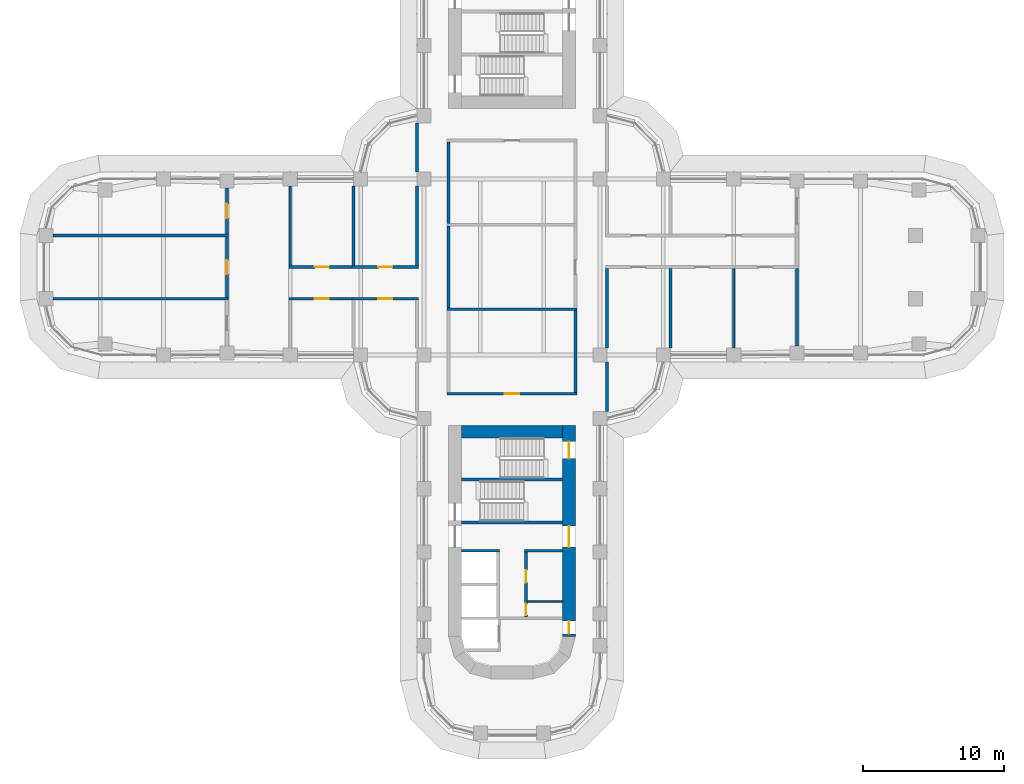
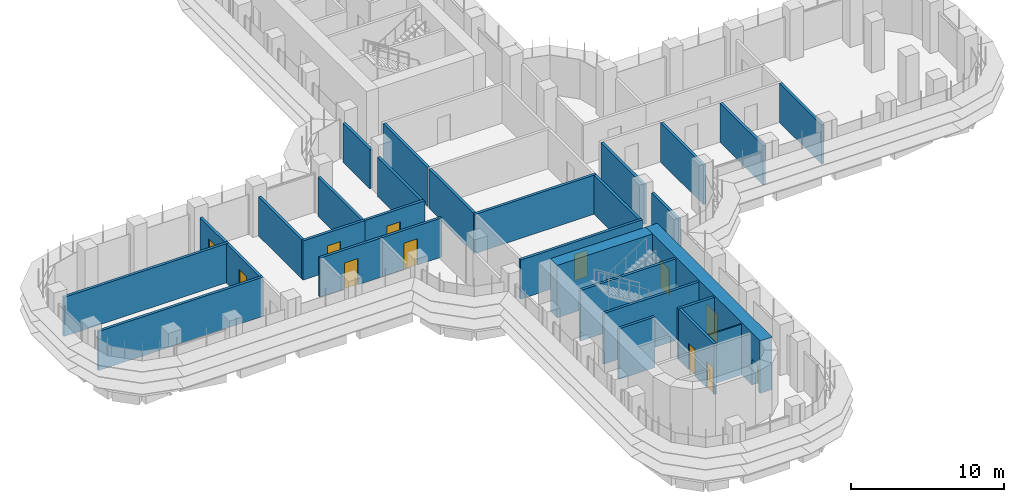
# One storey, part 17 of 23: 30 walls, 12 doors, 12 openings.
"""IFC4 building model written with IfcOpenShell, lengths in metres."""

from ifc_helpers import new_model, si_unit, direction, frame, frame_2d, origin, place, context, subcontext, project, spatial, rectangle, extrude, material, layer, layer_set, type_object, element, fill, save


model = new_model("IFC4")

# Units and contexts
model_context = context("Model", 3, precision=1e-05, world=origin(), true_north=direction((0.0, 1.0)))
body_context = subcontext(model_context, "Body", "Model", "MODEL_VIEW")
ifc_project = project(units=[si_unit("LENGTHUNIT", "METRE"), si_unit("AREAUNIT", "SQUARE_METRE"), si_unit("VOLUMEUNIT", "CUBIC_METRE"), si_unit("PLANEANGLEUNIT", "RADIAN"), si_unit("MASSUNIT", "GRAM", prefix="KILO")], contexts=[model_context])

# Site, building, storey
site_placement = place(None, origin())
site = spatial("IfcSite", under=ifc_project, at=site_placement, CompositionType="ELEMENT")
building_placement = place(site_placement, origin())
building = spatial("IfcBuilding", under=site, at=building_placement, Name="Zarbagh Exchange Tower", CompositionType="ELEMENT")
storey_placement = place(building_placement, frame((0.0, 0.0, 39.60009765625)))
storey = spatial("IfcBuildingStorey", under=building, at=storey_placement, Name="L08", CompositionType="ELEMENT", Elevation=39.60009765625)

# Walls
ifc_material_1 = material(Name="Dense blockwork", Category="masonry")
ifc_layer_1 = layer(ifc_material_1, 0.10009765625)
ifc_layer_set_1 = layer_set([ifc_layer_1], Name="Core partition 100 mm blockwork")
wall_type_1 = type_object("IfcWallType", Name="Core partition 100 mm blockwork", PredefinedType="PARTITIONING", material=ifc_layer_set_1)
wall_1_placement = place(storey_placement, frame((3.60009765625, -23.75, 0.0), z_axis=(0.0, 0.0, 1.0), x_axis=(-1.0, 0.0, 0.0)))
element("IfcWall", 1, at=wall_1_placement, inside=storey, type_object=wall_type_1, Name="South core partition wall CUT-W-460", PredefinedType="PARTITIONING", context=body_context, shape_type="SweptSolid", body=[
    extrude(rectangle(XDim=2.5, YDim=0.10009765625, at=frame_2d((1.25, 0.0))), origin(), (0.0, 0.0, 1.0), 4.0498046875),
])
ifc_material_2 = material(Name="Fire-rated plasterboard partition")
ifc_layer_2 = layer(ifc_material_2, 0.199951171875)
ifc_layer_set_2 = layer_set([ifc_layer_2], Name="RATED PARTITION 200")
wall_type_2 = type_object("IfcWallType", Name="RATED PARTITION 200", PredefinedType="PARTITIONING", material=ifc_layer_set_2)
for number, where, z_axis, x_axis, name in (
    (2, (-4.5, 3.10009765625, 0.0), (0.0, 0.0, 1.0), (0.0, 1.0, 0.0), "Partition W-201"),
    (3, (-4.5, -2.89990234375, 0.0), (0.0, 0.0, 1.0), (0.0, 1.0, 0.0), "Partition W-202"),
):
    element("IfcWall", number, at=place(storey_placement, frame(where, z_axis=z_axis, x_axis=x_axis)), inside=storey, type_object=wall_type_2, Name=name, PredefinedType="PARTITIONING", context=body_context, shape_type="SweptSolid", body=[
        extrude(rectangle(XDim=5.7998046875, YDim=0.199951171875, at=frame_2d((2.89990234375, 0.0))), origin(), (0.0, 0.0, 1.0), 3.13037109375),
    ])
wall_2_placement = place(storey_placement, frame((-6.75, 0.10009765625, 0.0), z_axis=(0.0, 0.0, 1.0), x_axis=(0.0, 1.0, 0.0)))
element("IfcWall", 4, at=wall_2_placement, inside=storey, type_object=wall_type_2, Name="Partition W-204", PredefinedType="PARTITIONING", context=body_context, shape_type="SweptSolid", body=[
    extrude(rectangle(XDim=5.64990234375, YDim=0.199951171875, at=frame_2d((2.824951171875, 0.0))), origin(), (0.0, 0.0, 1.0), 3.13037109375),
])
wall_3_placement = place(storey_placement, frame((-6.75, 6.75, 0.0), z_axis=(0.0, 0.0, 1.0), x_axis=(0.0, 1.0, 0.0)))
element("IfcWall", 5, at=wall_3_placement, inside=storey, type_object=wall_type_2, Name="Partition W-205", PredefinedType="PARTITIONING", context=body_context, shape_type="SweptSolid", body=[
    extrude(rectangle(XDim=3.5, YDim=0.199951171875, at=frame_2d((1.75, 0.0))), origin(), (0.0, 0.0, 1.0), 3.13037109375),
])
wall_4_placement = place(storey_placement, frame((4.5, -8.89990234375, 0.0), z_axis=(0.0, 0.0, 1.0), x_axis=(0.0, 1.0, 0.0)))
element("IfcWall", 6, at=wall_4_placement, inside=storey, type_object=wall_type_2, Name="Partition W-210", PredefinedType="PARTITIONING", context=body_context, shape_type="SweptSolid", body=[
    extrude(rectangle(XDim=5.7998046875, YDim=0.199951171875, at=frame_2d((2.89990234375, 0.0))), origin(), (0.0, 0.0, 1.0), 3.13037109375),
])
wall_5_placement = place(storey_placement, frame((6.75, -10.25, 0.0), z_axis=(0.0, 0.0, 1.0), x_axis=(0.0, 1.0, 0.0)))
element("IfcWall", 7, at=wall_5_placement, inside=storey, type_object=wall_type_2, Name="Partition W-213", PredefinedType="PARTITIONING", context=body_context, shape_type="SweptSolid", body=[
    extrude(rectangle(XDim=3.5, YDim=0.199951171875, at=frame_2d((1.75, 0.0))), origin(), (0.0, 0.0, 1.0), 3.13037109375),
])
wall_6_placement = place(storey_placement, frame((6.75, -5.75, 0.0), z_axis=(0.0, 0.0, 1.0), x_axis=(0.0, 1.0, 0.0)))
element("IfcWall", 8, at=wall_6_placement, inside=storey, type_object=wall_type_2, Name="Partition W-214", PredefinedType="PARTITIONING", context=body_context, shape_type="SweptSolid", body=[
    extrude(rectangle(XDim=5.64990234375, YDim=0.199951171875, at=frame_2d((2.824951171875, 0.0))), origin(), (0.0, 0.0, 1.0), 3.13037109375),
])

# Wall, opening, door
wall_7_placement = place(storey_placement, frame((-4.60009765625, -9.0, 0.0), z_axis=(0.0, 0.0, 1.0), x_axis=(1.0, 0.0, 0.0)))
wall_7 = element("IfcWall", 9, at=wall_7_placement, inside=storey, type_object=wall_type_2, Name="Partition W-216", PredefinedType="PARTITIONING", context=body_context, shape_type="SweptSolid", body=[
    extrude(rectangle(XDim=9.2001953125, YDim=0.199951171875, at=frame_2d((4.60009765625, 0.0))), origin(), (0.0, 0.0, 1.0), 3.13037109375),
])
opening_1_placement = place(wall_7_placement, frame((4.10009765625, 0.0, 0.0)))
opening_1 = element("IfcOpeningElement", 10, at=opening_1_placement, cuts=wall_7, Name="Opening D-203", PredefinedType="OPENING", context=body_context, shape_type="SweptSolid", body=[
    extrude(rectangle(XDim=1.0, YDim=2.10009765625, at=frame_2d((0.5, 1.050048828125))), frame((0.0, 0.10986328125, 0.0), z_axis=(0.0, -1.0, 0.0), x_axis=(1.0, 0.0, 0.0)), (0.0, 0.0, 1.0), 0.219970703125),
])
ifc_material_3 = material(Name="Steel door set", Category="steel")
door_type_1 = type_object("IfcDoorType", Name="FIRE DOOR 1000 X 2100 FD30S", OperationType="NOTDEFINED", PredefinedType="DOOR", material=ifc_material_3)
door_1_placement = place(opening_1_placement, origin())
door_1 = element("IfcDoor", 11, at=door_1_placement, inside=storey, type_object=door_type_1, Name="Door D-203", OperationType="SINGLE_SWING_RIGHT", OverallHeight=2.10009765625, OverallWidth=1.0, PredefinedType="DOOR", context=body_context, shape_type="SweptSolid", body=[
    extrude(rectangle(XDim=1.0, YDim=2.10009765625, at=frame_2d((0.5, 1.050048828125))), frame((0.0, 0.02490234375, 0.0), z_axis=(0.0, -1.0, 0.0), x_axis=(1.0, 0.0, 0.0)), (0.0, 0.0, 1.0), 0.050048828125),
])
fill(opening_1, door_1)

# Walls
wall_8_placement = place(storey_placement, frame((-4.60009765625, -3.0, 0.0), z_axis=(0.0, 0.0, 1.0), x_axis=(1.0, 0.0, 0.0)))
element("IfcWall", 12, at=wall_8_placement, inside=storey, type_object=wall_type_2, Name="Partition W-218", PredefinedType="PARTITIONING", context=body_context, shape_type="SweptSolid", body=[
    extrude(rectangle(XDim=9.2001953125, YDim=0.199951171875, at=frame_2d((4.60009765625, 0.0))), origin(), (0.0, 0.0, 1.0), 3.13037109375),
])
for number, where, z_axis, x_axis, name in (
    (13, (11.25, -5.75, 0.0), (0.0, 0.0, 1.0), (0.0, 1.0, 0.0), "Partition W-226"),
    (14, (15.75, -5.75, 0.0), (0.0, 0.0, 1.0), (0.0, 1.0, 0.0), "Partition W-228"),
):
    element("IfcWall", number, at=place(storey_placement, frame(where, z_axis=z_axis, x_axis=x_axis)), inside=storey, type_object=wall_type_2, Name=name, PredefinedType="PARTITIONING", context=body_context, shape_type="SweptSolid", body=[
        extrude(rectangle(XDim=5.64990234375, YDim=0.199951171875, at=frame_2d((2.824951171875, 0.0))), origin(), (0.0, 0.0, 1.0), 3.13037109375),
    ])
wall_9_placement = place(storey_placement, frame((20.25, -5.610107421875, 0.0), z_axis=(0.0, 0.0, 1.0), x_axis=(0.0, 1.0, 0.0)))
element("IfcWall", 15, at=wall_9_placement, inside=storey, type_object=wall_type_2, Name="Partition W-229", PredefinedType="PARTITIONING", context=body_context, shape_type="SweptSolid", body=[
    extrude(rectangle(XDim=5.510009765625, YDim=0.199951171875, at=frame_2d((2.7548828125, 0.0))), origin(), (0.0, 0.0, 1.0), 3.13037109375),
])

# Wall, opening, door
wall_10_placement = place(storey_placement, frame((-11.35009765625, 0.0, 0.0), z_axis=(0.0, 0.0, 1.0), x_axis=(1.0, 0.0, 0.0)))
wall_10 = element("IfcWall", 16, at=wall_10_placement, inside=storey, type_object=wall_type_2, Name="Partition W-230", PredefinedType="PARTITIONING", context=body_context, shape_type="SweptSolid", body=[
    extrude(rectangle(XDim=4.7001953125, YDim=0.199951171875, at=frame_2d((2.35009765625, 0.0))), origin(), (0.0, 0.0, 1.0), 3.13037109375),
])
opening_2_placement = place(wall_10_placement, frame((1.85009765625, 0.0, 0.0)))
opening_2 = element("IfcOpeningElement", 17, at=opening_2_placement, cuts=wall_10, Name="Opening D-210", PredefinedType="OPENING", context=body_context, shape_type="SweptSolid", body=[
    extrude(rectangle(XDim=1.0, YDim=2.10009765625, at=frame_2d((0.5, 1.050048828125))), frame((0.0, 0.10986328125, 0.0), z_axis=(0.0, -1.0, 0.0), x_axis=(1.0, 0.0, 0.0)), (0.0, 0.0, 1.0), 0.219970703125),
])
door_2_placement = place(opening_2_placement, origin())
door_2 = element("IfcDoor", 18, at=door_2_placement, inside=storey, type_object=door_type_1, Name="Door D-210", OperationType="SINGLE_SWING_RIGHT", OverallHeight=2.10009765625, OverallWidth=1.0, PredefinedType="DOOR", context=body_context, shape_type="SweptSolid", body=[
    extrude(rectangle(XDim=1.0, YDim=2.10009765625, at=frame_2d((0.5, 1.050048828125))), frame((0.0, 0.02490234375, 0.0), z_axis=(0.0, -1.0, 0.0), x_axis=(1.0, 0.0, 0.0)), (0.0, 0.0, 1.0), 0.050048828125),
])
fill(opening_2, door_2)

wall_11_placement = place(storey_placement, frame((-6.64990234375, -2.25, 0.0), z_axis=(0.0, 0.0, 1.0), x_axis=(-1.0, 0.0, 0.0)))
wall_11 = element("IfcWall", 19, at=wall_11_placement, inside=storey, type_object=wall_type_2, Name="Partition W-231", PredefinedType="PARTITIONING", context=body_context, shape_type="SweptSolid", body=[
    extrude(rectangle(XDim=4.7001953125, YDim=0.199951171875, at=frame_2d((2.35009765625, 0.0))), origin(), (0.0, 0.0, 1.0), 3.13037109375),
])
opening_3_placement = place(wall_11_placement, frame((1.85009765625, 0.0, 0.0)))
opening_3 = element("IfcOpeningElement", 20, at=opening_3_placement, cuts=wall_11, Name="Opening D-212", PredefinedType="OPENING", context=body_context, shape_type="SweptSolid", body=[
    extrude(rectangle(XDim=1.0, YDim=2.10009765625, at=frame_2d((0.5, 1.050048828125))), frame((0.0, 0.10986328125, 0.0), z_axis=(0.0, -1.0, 0.0), x_axis=(1.0, 0.0, 0.0)), (0.0, 0.0, 1.0), 0.219970703125),
])
door_3_placement = place(opening_3_placement, origin())
door_3 = element("IfcDoor", 21, at=door_3_placement, inside=storey, type_object=door_type_1, Name="Door D-212", OperationType="SINGLE_SWING_RIGHT", OverallHeight=2.10009765625, OverallWidth=1.0, PredefinedType="DOOR", context=body_context, shape_type="SweptSolid", body=[
    extrude(rectangle(XDim=1.0, YDim=2.10009765625, at=frame_2d((0.5, 1.050048828125))), frame((0.0, 0.02490234375, 0.0), z_axis=(0.0, -1.0, 0.0), x_axis=(1.0, 0.0, 0.0)), (0.0, 0.0, 1.0), 0.050048828125),
])
fill(opening_3, door_3)

wall_12_placement = place(storey_placement, frame((-15.85009765625, 0.0, 0.0), z_axis=(0.0, 0.0, 1.0), x_axis=(1.0, 0.0, 0.0)))
wall_12 = element("IfcWall", 22, at=wall_12_placement, inside=storey, type_object=wall_type_2, Name="Partition W-232", PredefinedType="PARTITIONING", context=body_context, shape_type="SweptSolid", body=[
    extrude(rectangle(XDim=4.7001953125, YDim=0.199951171875, at=frame_2d((2.35009765625, 0.0))), origin(), (0.0, 0.0, 1.0), 3.13037109375),
])
opening_4_placement = place(wall_12_placement, frame((1.85009765625, 0.0, 0.0)))
opening_4 = element("IfcOpeningElement", 23, at=opening_4_placement, cuts=wall_12, Name="Opening D-211", PredefinedType="OPENING", context=body_context, shape_type="SweptSolid", body=[
    extrude(rectangle(XDim=1.0, YDim=2.10009765625, at=frame_2d((0.5, 1.050048828125))), frame((0.0, 0.10986328125, 0.0), z_axis=(0.0, -1.0, 0.0), x_axis=(1.0, 0.0, 0.0)), (0.0, 0.0, 1.0), 0.219970703125),
])
door_4_placement = place(opening_4_placement, origin())
door_4 = element("IfcDoor", 24, at=door_4_placement, inside=storey, type_object=door_type_1, Name="Door D-211", OperationType="SINGLE_SWING_RIGHT", OverallHeight=2.10009765625, OverallWidth=1.0, PredefinedType="DOOR", context=body_context, shape_type="SweptSolid", body=[
    extrude(rectangle(XDim=1.0, YDim=2.10009765625, at=frame_2d((0.5, 1.050048828125))), frame((0.0, 0.02490234375, 0.0), z_axis=(0.0, -1.0, 0.0), x_axis=(1.0, 0.0, 0.0)), (0.0, 0.0, 1.0), 0.050048828125),
])
fill(opening_4, door_4)

wall_13_placement = place(storey_placement, frame((-11.14990234375, -2.25, 0.0), z_axis=(0.0, 0.0, 1.0), x_axis=(-1.0, 0.0, 0.0)))
wall_13 = element("IfcWall", 25, at=wall_13_placement, inside=storey, type_object=wall_type_2, Name="Partition W-233", PredefinedType="PARTITIONING", context=body_context, shape_type="SweptSolid", body=[
    extrude(rectangle(XDim=4.7001953125, YDim=0.199951171875, at=frame_2d((2.35009765625, 0.0))), origin(), (0.0, 0.0, 1.0), 3.13037109375),
])
opening_5_placement = place(wall_13_placement, frame((1.85009765625, 0.0, 0.0)))
opening_5 = element("IfcOpeningElement", 26, at=opening_5_placement, cuts=wall_13, Name="Opening D-213", PredefinedType="OPENING", context=body_context, shape_type="SweptSolid", body=[
    extrude(rectangle(XDim=1.0, YDim=2.10009765625, at=frame_2d((0.5, 1.050048828125))), frame((0.0, 0.10986328125, 0.0), z_axis=(0.0, -1.0, 0.0), x_axis=(1.0, 0.0, 0.0)), (0.0, 0.0, 1.0), 0.219970703125),
])
door_5_placement = place(opening_5_placement, origin())
door_5 = element("IfcDoor", 27, at=door_5_placement, inside=storey, type_object=door_type_1, Name="Door D-213", OperationType="SINGLE_SWING_RIGHT", OverallHeight=2.10009765625, OverallWidth=1.0, PredefinedType="DOOR", context=body_context, shape_type="SweptSolid", body=[
    extrude(rectangle(XDim=1.0, YDim=2.10009765625, at=frame_2d((0.5, 1.050048828125))), frame((0.0, 0.02490234375, 0.0), z_axis=(0.0, -1.0, 0.0), x_axis=(1.0, 0.0, 0.0)), (0.0, 0.0, 1.0), 0.050048828125),
])
fill(opening_5, door_5)

# Walls
for number, where, z_axis, x_axis, name in (
    (28, (-11.25, 0.10009765625, 0.0), (0.0, 0.0, 1.0), (0.0, 1.0, 0.0), "Partition W-234"),
    (29, (-15.75, 0.10009765625, 0.0), (0.0, 0.0, 1.0), (0.0, 1.0, 0.0), "Partition W-236"),
):
    element("IfcWall", number, at=place(storey_placement, frame(where, z_axis=z_axis, x_axis=x_axis)), inside=storey, type_object=wall_type_2, Name=name, PredefinedType="PARTITIONING", context=body_context, shape_type="SweptSolid", body=[
        extrude(rectangle(XDim=5.64990234375, YDim=0.199951171875, at=frame_2d((2.824951171875, 0.0))), origin(), (0.0, 0.0, 1.0), 3.13037109375),
    ])

# Wall, opening, door
wall_14_placement = place(storey_placement, frame((-20.25, -2.14990234375, 0.0), z_axis=(0.0, 0.0, 1.0), x_axis=(0.0, 1.0, 0.0)))
wall_14 = element("IfcWall", 30, at=wall_14_placement, inside=storey, type_object=wall_type_2, Name="Partition W-239", PredefinedType="PARTITIONING", context=body_context, shape_type="SweptSolid", body=[
    extrude(rectangle(XDim=4.2998046875, YDim=0.199951171875, at=frame_2d((2.14990234375, 0.0))), origin(), (0.0, 0.0, 1.0), 3.13037109375),
])
opening_6_placement = place(wall_14_placement, frame((1.64990234375, 0.0, 0.0)))
opening_6 = element("IfcOpeningElement", 31, at=opening_6_placement, cuts=wall_14, Name="Opening D-215", PredefinedType="OPENING", context=body_context, shape_type="SweptSolid", body=[
    extrude(rectangle(XDim=1.0, YDim=2.10009765625, at=frame_2d((0.5, 1.050048828125))), frame((0.0, 0.10986328125, 0.0), z_axis=(0.0, -1.0, 0.0), x_axis=(1.0, 0.0, 0.0)), (0.0, 0.0, 1.0), 0.219970703125),
])
door_6_placement = place(opening_6_placement, origin())
door_6 = element("IfcDoor", 32, at=door_6_placement, inside=storey, type_object=door_type_1, Name="Door D-215", OperationType="SINGLE_SWING_RIGHT", OverallHeight=2.10009765625, OverallWidth=1.0, PredefinedType="DOOR", context=body_context, shape_type="SweptSolid", body=[
    extrude(rectangle(XDim=1.0, YDim=2.10009765625, at=frame_2d((0.5, 1.050048828125))), frame((0.0, 0.02490234375, 0.0), z_axis=(0.0, -1.0, 0.0), x_axis=(1.0, 0.0, 0.0)), (0.0, 0.0, 1.0), 0.050048828125),
])
fill(opening_6, door_6)

wall_15_placement = place(storey_placement, frame((-20.25, 2.35009765625, 0.0), z_axis=(0.0, 0.0, 1.0), x_axis=(0.0, 1.0, 0.0)))
wall_15 = element("IfcWall", 33, at=wall_15_placement, inside=storey, type_object=wall_type_2, Name="Partition W-240", PredefinedType="PARTITIONING", context=body_context, shape_type="SweptSolid", body=[
    extrude(rectangle(XDim=3.260009765625, YDim=0.199951171875, at=frame_2d((1.6298828125, 0.0))), origin(), (0.0, 0.0, 1.0), 3.13037109375),
])
opening_7_placement = place(wall_15_placement, frame((1.1298828125, 0.0, 0.0)))
opening_7 = element("IfcOpeningElement", 34, at=opening_7_placement, cuts=wall_15, Name="Opening D-216", PredefinedType="OPENING", context=body_context, shape_type="SweptSolid", body=[
    extrude(rectangle(XDim=1.0, YDim=2.10009765625, at=frame_2d((0.5, 1.050048828125))), frame((0.0, 0.10986328125, 0.0), z_axis=(0.0, -1.0, 0.0), x_axis=(1.0, 0.0, 0.0)), (0.0, 0.0, 1.0), 0.219970703125),
])
door_7_placement = place(opening_7_placement, origin())
door_7 = element("IfcDoor", 35, at=door_7_placement, inside=storey, type_object=door_type_1, Name="Door D-216", OperationType="SINGLE_SWING_RIGHT", OverallHeight=2.10009765625, OverallWidth=1.0, PredefinedType="DOOR", context=body_context, shape_type="SweptSolid", body=[
    extrude(rectangle(XDim=1.0, YDim=2.10009765625, at=frame_2d((0.5, 1.050048828125))), frame((0.0, 0.02490234375, 0.0), z_axis=(0.0, -1.0, 0.0), x_axis=(1.0, 0.0, 0.0)), (0.0, 0.0, 1.0), 0.050048828125),
])
fill(opening_7, door_7)

# Walls
for number, where, z_axis, x_axis, name in (
    (36, (-32.610107421875, -2.25, 0.0), (0.0, 0.0, 1.0), (1.0, 0.0, 0.0), "Partition W-241"),
    (37, (-32.610107421875, 2.25, 0.0), (0.0, 0.0, 1.0), (1.0, 0.0, 0.0), "Partition W-242"),
):
    element("IfcWall", number, at=place(storey_placement, frame(where, z_axis=z_axis, x_axis=x_axis)), inside=storey, type_object=wall_type_2, Name=name, PredefinedType="PARTITIONING", context=body_context, shape_type="SweptSolid", body=[
        extrude(rectangle(XDim=12.460205078125, YDim=0.199951171875, at=frame_2d((6.22998046875, 0.0))), origin(), (0.0, 0.0, 1.0), 3.13037109375),
    ])

# Wall, openings, doors
ifc_material_4 = material(Name="Concrete C60/75", Category="concrete")
ifc_layer_3 = layer(ifc_material_4, 0.89990234375)
ifc_layer_set_3 = layer_set([ifc_layer_3], Name="RC core wall 900 C60/75")
wall_type_3 = type_object("IfcWallType", Name="RC core wall 900 C60/75", PredefinedType="SHEAR", material=ifc_layer_set_3)
wall_16_placement = place(storey_placement, frame((4.050048828125, -11.25, 0.0), z_axis=(0.0, 0.0, 1.0), x_axis=(0.0, -1.0, 0.0)))
wall_16 = element("IfcWall", 38, at=wall_16_placement, inside=storey, type_object=wall_type_3, Name="CW1 core S E", PredefinedType="SHEAR", context=body_context, shape_type="SweptSolid", body=[
    extrude(rectangle(XDim=15.0, YDim=0.89990234375, at=frame_2d((7.5, 0.0))), origin(), (0.0, 0.0, 1.0), 4.199951171875),
])
opening_8_placement = place(wall_16_placement, frame((7.14990234375, 0.0, 0.0)))
opening_8 = element("IfcOpeningElement", 39, at=opening_8_placement, cuts=wall_16, Name="Opening CD1-1500", PredefinedType="OPENING", context=body_context, shape_type="SweptSolid", body=[
    extrude(rectangle(XDim=1.5, YDim=2.300048828125, at=frame_2d((0.75, 1.14990234375))), frame((0.0, 0.4599609375, 0.0), z_axis=(0.0, -1.0, 0.0), x_axis=(1.0, 0.0, 0.0)), (0.0, 0.0, 1.0), 0.919921875),
])
opening_9_placement = place(wall_16_placement, frame((13.89990234375, 0.0, 0.0)))
opening_9 = element("IfcOpeningElement", 40, at=opening_9_placement, cuts=wall_16, Name="Opening CD2-900", PredefinedType="OPENING", context=body_context, shape_type="SweptSolid", body=[
    extrude(rectangle(XDim=0.89990234375, YDim=2.10009765625, at=frame_2d((0.449951171875, 1.050048828125))), frame((0.0, 0.4599609375, 0.0), z_axis=(0.0, -1.0, 0.0), x_axis=(1.0, 0.0, 0.0)), (0.0, 0.0, 1.0), 0.919921875),
])
opening_10_placement = place(wall_16_placement, frame((1.14990234375, 0.0, 0.0)))
opening_10 = element("IfcOpeningElement", 41, at=opening_10_placement, cuts=wall_16, Name="Opening SD1-1200", PredefinedType="OPENING", context=body_context, shape_type="SweptSolid", body=[
    extrude(rectangle(XDim=1.199951171875, YDim=2.10009765625, at=frame_2d((0.60009765625, 1.050048828125))), frame((0.0, 0.4599609375, 0.0), z_axis=(0.0, -1.0, 0.0), x_axis=(1.0, 0.0, 0.0)), (0.0, 0.0, 1.0), 0.919921875),
])
ifc_material_5 = material(Name="Steel", Category="steel")
door_type_2 = type_object("IfcDoorType", Name="Exit stair door 1200 x 2100", OperationType="NOTDEFINED", PredefinedType="DOOR", material=ifc_material_5)
door_8_placement = place(opening_10_placement, origin())
door_8 = element("IfcDoor", 42, at=door_8_placement, inside=storey, type_object=door_type_2, Name="South core stair door ST2", OperationType="SINGLE_SWING_RIGHT", OverallHeight=2.10009765625, OverallWidth=1.199951171875, PredefinedType="DOOR", context=body_context, shape_type="SweptSolid", body=[
    extrude(rectangle(XDim=1.199951171875, YDim=2.10009765625, at=frame_2d((0.60009765625, 1.050048828125))), frame((0.0, 0.02490234375, 0.0), z_axis=(0.0, -1.0, 0.0), x_axis=(1.0, 0.0, 0.0)), (0.0, 0.0, 1.0), 0.050048828125),
])
fill(opening_10, door_8)
door_type_3 = type_object("IfcDoorType", Name="Firefighting lobby door 900 x 2100", OperationType="NOTDEFINED", PredefinedType="DOOR", material=ifc_material_5)
door_9_placement = place(opening_9_placement, origin())
door_9 = element("IfcDoor", 43, at=door_9_placement, inside=storey, type_object=door_type_3, Name="South core firefighting lobby door FF-W", OperationType="SINGLE_SWING_LEFT", OverallHeight=2.10009765625, OverallWidth=0.89990234375, PredefinedType="DOOR", context=body_context, shape_type="SweptSolid", body=[
    extrude(rectangle(XDim=0.89990234375, YDim=2.10009765625, at=frame_2d((0.449951171875, 1.050048828125))), frame((0.0, 0.02490234375, 0.0), z_axis=(0.0, -1.0, 0.0), x_axis=(1.0, 0.0, 0.0)), (0.0, 0.0, 1.0), 0.050048828125),
])
fill(opening_9, door_9)
door_type_4 = type_object("IfcDoorType", Name="Lift lobby double door 1500 x 2300", OperationType="NOTDEFINED", PredefinedType="DOOR", material=ifc_material_5)
door_10_placement = place(opening_8_placement, origin())
door_10 = element("IfcDoor", 44, at=door_10_placement, inside=storey, type_object=door_type_4, Name="South core lift lobby door LOBBY-W", OperationType="DOUBLE_DOOR_SINGLE_SWING", OverallHeight=2.300048828125, OverallWidth=1.5, PredefinedType="DOOR", context=body_context, shape_type="SweptSolid", body=[
    extrude(rectangle(XDim=1.5, YDim=2.300048828125, at=frame_2d((0.75, 1.14990234375))), frame((0.0, 0.02490234375, 0.0), z_axis=(0.0, -1.0, 0.0), x_axis=(1.0, 0.0, 0.0)), (0.0, 0.0, 1.0), 0.050048828125),
])
fill(opening_8, door_10)

# Walls
wall_17_placement = place(storey_placement, frame((-3.60009765625, -11.699951171875, 0.0), z_axis=(0.0, 0.0, 1.0), x_axis=(1.0, 0.0, 0.0)))
element("IfcWall", 45, at=wall_17_placement, inside=storey, type_object=wall_type_3, Name="CW1 core S inner end", PredefinedType="SHEAR", context=body_context, shape_type="SweptSolid", body=[
    extrude(rectangle(XDim=7.2001953125, YDim=0.89990234375, at=frame_2d((3.60009765625, 0.0))), origin(), (0.0, 0.0, 1.0), 4.199951171875),
])
ifc_layer_4 = layer(ifc_material_1, 0.199951171875)
ifc_layer_set_4 = layer_set([ifc_layer_4], Name="Shaft wall 200 mm blockwork")
wall_type_4 = type_object("IfcWallType", Name="Shaft wall 200 mm blockwork", PredefinedType="PARTITIONING", material=ifc_layer_set_4)
wall_18_placement = place(storey_placement, frame((3.60009765625, -20.14990234375, 0.0), z_axis=(0.0, 0.0, 1.0), x_axis=(-1.0, 0.0, 0.0)))
element("IfcWall", 46, at=wall_18_placement, inside=storey, type_object=wall_type_4, Name="South core shaft wall AB-W", PredefinedType="PARTITIONING", context=body_context, shape_type="SweptSolid", body=[
    extrude(rectangle(XDim=2.7001953125, YDim=0.199951171875, at=frame_2d((1.35009765625, 0.0))), origin(), (0.0, 0.0, 1.0), 4.0498046875),
])

# Wall, openings, doors
wall_19_placement = place(storey_placement, frame((1.0, -24.85009765625, 0.0), z_axis=(0.0, 0.0, 1.0), x_axis=(0.0, 1.0, 0.0)))
wall_19 = element("IfcWall", 47, at=wall_19_placement, inside=storey, type_object=wall_type_4, Name="South core shaft wall LW-W", PredefinedType="PARTITIONING", context=body_context, shape_type="SweptSolid", body=[
    extrude(rectangle(XDim=4.60009765625, YDim=0.199951171875, at=frame_2d((2.300048828125, 0.0))), origin(), (0.0, 0.0, 1.0), 4.0498046875),
])
opening_11_placement = place(wall_19_placement, frame((0.125, 0.0, 0.0)))
opening_11 = element("IfcOpeningElement", 48, at=opening_11_placement, cuts=wall_19, Name="Opening CD3-800", PredefinedType="OPENING", context=body_context, shape_type="SweptSolid", body=[
    extrude(rectangle(XDim=0.800048828125, YDim=2.10009765625, at=frame_2d((0.39990234375, 1.050048828125))), frame((0.0, 0.10986328125, 0.0), z_axis=(0.0, -1.0, 0.0), x_axis=(1.0, 0.0, 0.0)), (0.0, 0.0, 1.0), 0.219970703125),
])
opening_12_placement = place(wall_19_placement, frame((2.425048828125, 0.0, 0.0)))
opening_12 = element("IfcOpeningElement", 49, at=opening_12_placement, cuts=wall_19, Name="Opening CD3-900", PredefinedType="OPENING", context=body_context, shape_type="SweptSolid", body=[
    extrude(rectangle(XDim=0.89990234375, YDim=2.10009765625, at=frame_2d((0.449951171875, 1.050048828125))), frame((0.0, 0.10986328125, 0.0), z_axis=(0.0, -1.0, 0.0), x_axis=(1.0, 0.0, 0.0)), (0.0, 0.0, 1.0), 0.219970703125),
])
door_type_5 = type_object("IfcDoorType", Name="Core room door 800 x 2100", OperationType="NOTDEFINED", PredefinedType="DOOR", material=ifc_material_5)
door_11_placement = place(opening_11_placement, origin())
door_11 = element("IfcDoor", 50, at=door_11_placement, inside=storey, type_object=door_type_5, Name="South core Store door RD-W-0", OperationType="SINGLE_SWING_RIGHT", OverallHeight=2.10009765625, OverallWidth=0.800048828125, PredefinedType="DOOR", context=body_context, shape_type="SweptSolid", body=[
    extrude(rectangle(XDim=0.800048828125, YDim=2.10009765625, at=frame_2d((0.39990234375, 1.050048828125))), frame((0.0, 0.02490234375, 0.0), z_axis=(0.0, -1.0, 0.0), x_axis=(1.0, 0.0, 0.0)), (0.0, 0.0, 1.0), 0.050048828125),
])
fill(opening_11, door_11)
door_type_6 = type_object("IfcDoorType", Name="Core room door 900 x 2100", OperationType="NOTDEFINED", PredefinedType="DOOR", material=ifc_material_5)
door_12_placement = place(opening_12_placement, origin())
door_12 = element("IfcDoor", 51, at=door_12_placement, inside=storey, type_object=door_type_6, Name="South core Staff WC door RD-W-1", OperationType="SINGLE_SWING_RIGHT", OverallHeight=2.10009765625, OverallWidth=0.89990234375, PredefinedType="DOOR", context=body_context, shape_type="SweptSolid", body=[
    extrude(rectangle(XDim=0.89990234375, YDim=2.10009765625, at=frame_2d((0.449951171875, 1.050048828125))), frame((0.0, 0.02490234375, 0.0), z_axis=(0.0, -1.0, 0.0), x_axis=(1.0, 0.0, 0.0)), (0.0, 0.0, 1.0), 0.050048828125),
])
fill(opening_12, door_12)

# Walls
wall_20_placement = place(storey_placement, frame((-0.89990234375, -20.14990234375, 0.0), z_axis=(0.0, 0.0, 1.0), x_axis=(-1.0, 0.0, 0.0)))
element("IfcWall", 52, at=wall_20_placement, inside=storey, type_object=wall_type_4, Name="South core shaft wall AB-E", PredefinedType="PARTITIONING", context=body_context, shape_type="SweptSolid", body=[
    extrude(rectangle(XDim=2.7001953125, YDim=0.199951171875, at=frame_2d((1.35009765625, 0.0))), origin(), (0.0, 0.0, 1.0), 4.0498046875),
])
ifc_material_6 = material(Name="Concrete C40/50", Category="concrete")
ifc_layer_5 = layer(ifc_material_6, 0.199951171875)
ifc_layer_set_5 = layer_set([ifc_layer_5], Name="Stair enclosure wall 200 mm RC C40/50")
wall_type_5 = type_object("IfcWallType", Name="Stair enclosure wall 200 mm RC C40/50", PredefinedType="SHEAR", material=ifc_layer_set_5)
for number, where, z_axis, x_axis, name in (
    (53, (3.60009765625, -18.14990234375, 0.0), (0.0, 0.0, 1.0), (-1.0, 0.0, 0.0), "South core stair wall BS"),
    (54, (3.60009765625, -15.10009765625, 0.0), (0.0, 0.0, 1.0), (-1.0, 0.0, 0.0), "South core stair wall ST12"),
):
    element("IfcWall", number, at=place(storey_placement, frame(where, z_axis=z_axis, x_axis=x_axis)), inside=storey, type_object=wall_type_5, Name=name, PredefinedType="SHEAR", context=body_context, shape_type="SweptSolid", body=[
        extrude(rectangle(XDim=7.2001953125, YDim=0.199951171875, at=frame_2d((3.60009765625, 0.0))), origin(), (0.0, 0.0, 1.0), 4.0498046875),
    ])

save(model, "model.ifc")
